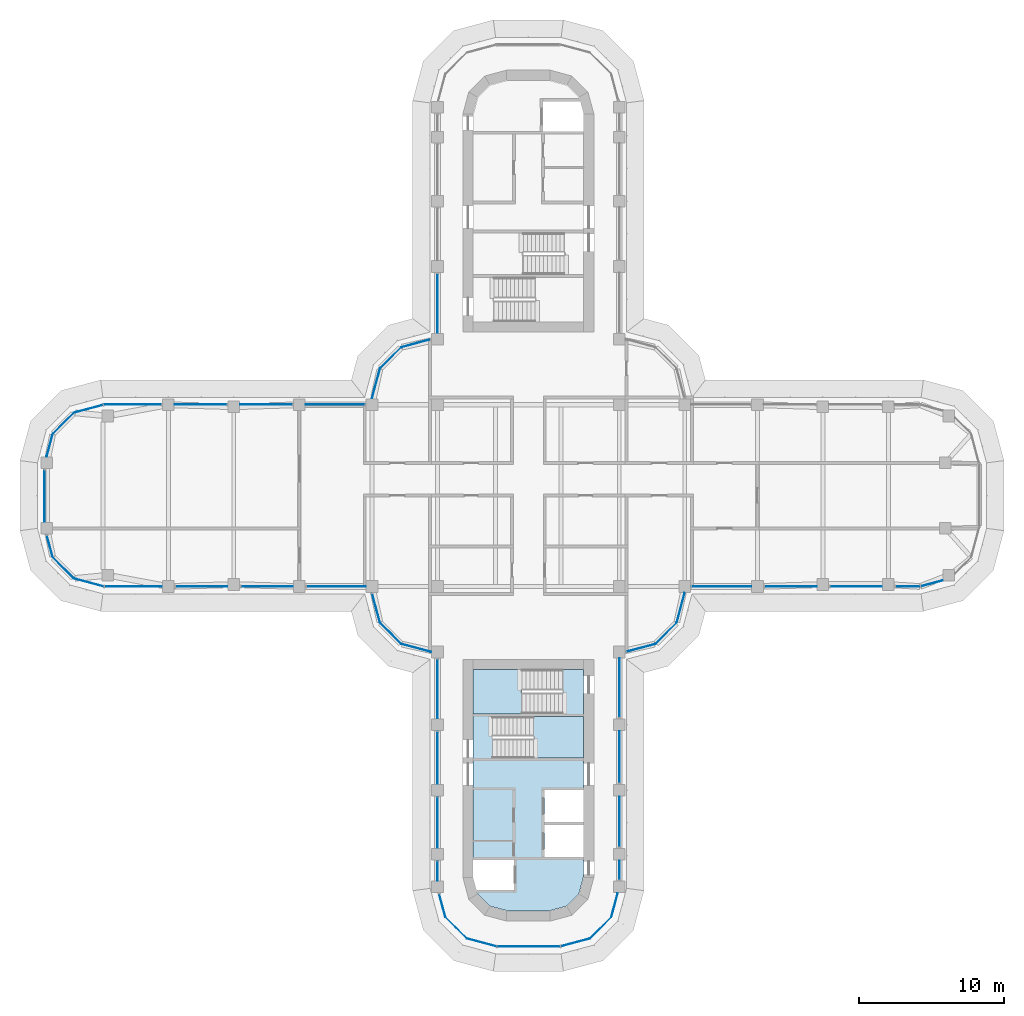
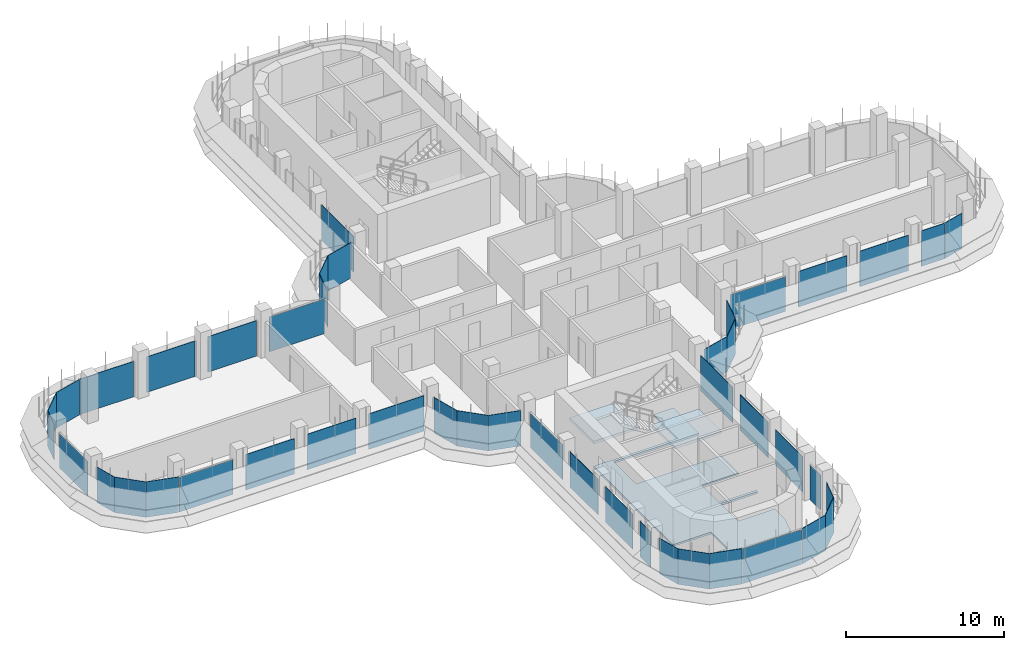
# One storey, part 11 of 19: 45 plates, 3 slabs, 32 elements without a shape of their own.
"""IFC4 building model written with IfcOpenShell, lengths in metres."""

import ifcopenshell
import ifcopenshell.guid

model = None  # the IFC model being written
_history = None  # IfcOwnerHistory: only IFC2X3 demands one
_inside = {}  # id of a spatial element -> (the spatial element, [elements in it])
_under = {}  # id of a project, library or spatial element -> (it, [spatial elements below it])
_declared = {}  # id of a project -> (the project, [libraries it declares])
_typed = {}  # id of a type object -> (the type object, [elements of that type])
_made_of = {}  # id of a material, layer set ... -> (it, [elements and type objects made of it])


def new_model(schema):
    """Start an empty IFC model of exactly this schema.

    Asked for "IFC4X3", IfcOpenShell would pick the latest addendum, in which some entities
    have other attributes; the version numbers below select the first issue.
    IFC2X3 requires an IfcOwnerHistory on every rooted entity: one is made here for all.
    """
    global model, _history
    if schema == "IFC4X3":
        model = ifcopenshell.file(schema_version=(4, 3, 0, 0))
    else:
        model = ifcopenshell.file(schema=schema)
    _inside.clear()
    _under.clear()
    _declared.clear()
    _typed.clear()
    _made_of.clear()
    _history = None
    if model.schema == "IFC2X3":
        org = make("IfcOrganization", Name="unknown")
        user = make(
            "IfcPersonAndOrganization",
            ThePerson=make("IfcPerson", FamilyName="unknown"),
            TheOrganization=org,
        )
        app = make(
            "IfcApplication",
            ApplicationDeveloper=org,
            Version="unknown",
            ApplicationFullName="unknown",
            ApplicationIdentifier="unknown",
        )
        _history = make(
            "IfcOwnerHistory",
            OwningUser=user,
            OwningApplication=app,
            ChangeAction="ADDED",
            CreationDate=0,
        )
    return model


def make(cls, **values):
    """One entity of the class cls with the attributes given. An attribute that is None is left unset."""
    return model.create_entity(
        cls, **{name: value for name, value in values.items() if value is not None}
    )


def rooted(cls, **values):
    """An entity with a GlobalId (a new one), such as an element, a storey or a relation."""
    return make(cls, GlobalId=ifcopenshell.guid.new(), OwnerHistory=_history, **values)


def si_unit(unit_type, name, prefix=None):
    """IfcSIUnit, for example si_unit("LENGTHUNIT", "METRE", prefix="MILLI")."""
    return make("IfcSIUnit", UnitType=unit_type, Prefix=prefix, Name=name)


def assignment(units):
    """IfcUnitAssignment: the units of a project."""
    return None if units is None else make("IfcUnitAssignment", Units=units)


def point(xyz):
    """IfcCartesianPoint."""
    return None if xyz is None else make("IfcCartesianPoint", Coordinates=xyz)


def direction(xyz):
    """IfcDirection."""
    return None if xyz is None else make("IfcDirection", DirectionRatios=xyz)


def frame(location, z_axis=None, x_axis=None):
    """IfcAxis2Placement3D, a coordinate frame: its origin and axes. An axis left out is left unset."""
    return make(
        "IfcAxis2Placement3D",
        Location=point(location),
        Axis=direction(z_axis),
        RefDirection=direction(x_axis),
    )


def origin():
    """The frame at (0, 0, 0) with its axes left unset."""
    return frame((0.0, 0.0, 0.0))


def place(relative_to, where):
    """IfcLocalPlacement: puts the frame where relative to a parent placement (None: the world)."""
    return make(
        "IfcLocalPlacement", PlacementRelTo=relative_to, RelativePlacement=where
    )


def context(
    kind, dimensions, precision=None, world=None, true_north=None, identifier=None
):
    """IfcGeometricRepresentationContext, for example the 3D "Model" context."""
    return make(
        "IfcGeometricRepresentationContext",
        ContextIdentifier=identifier,
        ContextType=kind,
        CoordinateSpaceDimension=dimensions,
        Precision=precision,
        WorldCoordinateSystem=world,
        TrueNorth=true_north,
    )


def subcontext(parent, identifier, kind, view, scale=None):
    """IfcGeometricRepresentationSubContext, for example "Body" below "Model"."""
    return make(
        "IfcGeometricRepresentationSubContext",
        ContextIdentifier=identifier,
        ContextType=kind,
        ParentContext=parent,
        TargetScale=scale,
        TargetView=view,
    )


def project(units=None, contexts=None):
    """IfcProject with its units and contexts."""
    return rooted(
        "IfcProject",
        Name="project",
        RepresentationContexts=contexts,
        UnitsInContext=assignment(units),
    )


def spatial(cls, under=None, at=None, **own):
    """A site, building, storey or space (cls), placed at a placement, below another one or the project."""
    s = rooted(cls, ObjectPlacement=at, **own)
    if under is not None:
        _under.setdefault(under.id(), (under, []))[1].append(s)
    return s


def polyline(points):
    """IfcPolyline through the points."""
    return make("IfcPolyline", Points=[point(p) for p in points])


def outline(outer, holes=None, kind="AREA"):
    """IfcArbitraryClosedProfileDef: a profile drawn as a closed curve; with holes, ...WithVoids."""
    if holes is None:
        return make("IfcArbitraryClosedProfileDef", ProfileType=kind, OuterCurve=outer)
    return make(
        "IfcArbitraryProfileDefWithVoids",
        ProfileType=kind,
        OuterCurve=outer,
        InnerCurves=holes,
    )


def extrude(swept, where, along, depth):
    """IfcExtrudedAreaSolid: the profile swept, set in the frame where, extruded along a direction by depth."""
    return make(
        "IfcExtrudedAreaSolid",
        SweptArea=swept,
        Position=where,
        ExtrudedDirection=direction(along),
        Depth=depth,
    )


def shape(context_of_items, identifier, shape_type, items):
    """IfcShapeRepresentation: the items that make up one representation, for example the "Body"."""
    return make(
        "IfcShapeRepresentation",
        ContextOfItems=context_of_items,
        RepresentationIdentifier=identifier,
        RepresentationType=shape_type,
        Items=items,
    )


def source(mapping_origin, context_of_items, identifier, shape_type, items):
    """IfcRepresentationMap: a shape defined once, which mapped items show again and again."""
    return make(
        "IfcRepresentationMap",
        MappingOrigin=mapping_origin,
        MappedRepresentation=shape(context_of_items, identifier, shape_type, items),
    )


def transform(
    local_origin,
    x_axis=None,
    y_axis=None,
    z_axis=None,
    scale=None,
    scale2=None,
    scale3=None,
    uniform=True,
):
    """IfcCartesianTransformationOperator3D, or its non-uniform kind. x_axis, y_axis, z_axis: its Axis1, 2, 3."""
    if uniform:
        return make(
            "IfcCartesianTransformationOperator3D",
            Axis1=direction(x_axis),
            Axis2=direction(y_axis),
            LocalOrigin=point(local_origin),
            Scale=scale,
            Axis3=direction(z_axis),
        )
    return make(
        "IfcCartesianTransformationOperator3DnonUniform",
        Axis1=direction(x_axis),
        Axis2=direction(y_axis),
        LocalOrigin=point(local_origin),
        Scale=scale,
        Axis3=direction(z_axis),
        Scale2=scale2,
        Scale3=scale3,
    )


def mapped(mapping_source, mapping_target):
    """IfcMappedItem: shows the shape of a source again, moved by a transform."""
    return make(
        "IfcMappedItem", MappingSource=mapping_source, MappingTarget=mapping_target
    )


def material(Name=None, Category=None):
    """IfcMaterial."""
    return make("IfcMaterial", Name=Name, Category=Category)


def layer(
    of_material, thickness, ventilated=None, Name=None, Category=None, Priority=None
):
    """IfcMaterialLayer: one layer of a wall or slab, of a material (None: an air gap)."""
    return make(
        "IfcMaterialLayer",
        Material=of_material,
        LayerThickness=thickness,
        IsVentilated=ventilated,
        Name=Name,
        Category=Category,
        Priority=Priority,
    )


def layer_set(layers, Name=None):
    """IfcMaterialLayerSet."""
    return make("IfcMaterialLayerSet", MaterialLayers=layers, LayerSetName=Name)


def made_of(thing, what):
    """Note that an element or type object is made of a material, layer set ...; save() writes the relation."""
    if what is not None:
        _made_of.setdefault(what.id(), (what, []))[1].append(thing)
    return thing


def type_object(cls, material=None, **own):
    """A type object (cls), such as IfcWallType, which elements share."""
    return made_of(rooted(cls, **own), material)


def element(
    cls,
    number,
    at=None,
    inside=None,
    cuts=None,
    type_object=None,
    material=None,
    context=None,
    identifier="Body",
    shape_type=None,
    held_by="IfcProductDefinitionShape",
    body=None,
    shapes=None,
    **own,
):
    """One element of the class cls, such as IfcWall. Its Tag is "e" and its number.

    at: its placement. inside: the storey or other place that contains it. cuts: it is an
    opening in that element (IfcRelVoidsElement). A single representation is given by context,
    identifier, shape_type and body (its items); several are given by shapes. held_by: the class
    of the entity that holds the representations. save() writes the other relations.
    """
    e = rooted(cls, Tag="e%d" % number, ObjectPlacement=at, **own)
    if body is not None:
        shapes = [shape(context, identifier, shape_type, body)]
    if shapes is not None:
        e.Representation = make(held_by, Representations=shapes)
    if inside is not None:
        _inside.setdefault(inside.id(), (inside, []))[1].append(e)
    if cuts is not None:
        rooted(
            "IfcRelVoidsElement", RelatingBuildingElement=cuts, RelatedOpeningElement=e
        )
    if type_object is not None:
        _typed.setdefault(type_object.id(), (type_object, []))[1].append(e)
    return made_of(e, material)


def aggregate(whole, parts):
    """IfcRelAggregates: a whole, such as a stair, and the parts it consists of."""
    return rooted("IfcRelAggregates", RelatingObject=whole, RelatedObjects=parts)


def save(model, path):
    """Write the relations noted so far, then the file.

    IfcRelAggregates (storeys below a building ...), IfcRelContainedInSpatialStructure (elements
    in a storey), IfcRelDefinesByType, IfcRelAssociatesMaterial and IfcRelDeclares: one each for
    every whole, place, type object, material and project.
    """
    for whole, parts in _under.values():
        aggregate(whole, parts)
    for where, things in _inside.values():
        rooted(
            "IfcRelContainedInSpatialStructure",
            RelatedElements=things,
            RelatingStructure=where,
        )
    for kind, things in _typed.values():
        rooted("IfcRelDefinesByType", RelatedObjects=things, RelatingType=kind)
    for what, things in _made_of.values():
        rooted("IfcRelAssociatesMaterial", RelatedObjects=things, RelatingMaterial=what)
    for by, libraries in _declared.values():
        rooted("IfcRelDeclares", RelatingContext=by, RelatedDefinitions=libraries)
    model.write(path)


model = new_model("IFC4")

# Units and contexts
model_context = context("Model", 3, precision=1e-05, world=origin(), true_north=direction((0.0, 1.0)))
body_context = subcontext(model_context, "Body", "Model", "MODEL_VIEW")
ifc_project = project(units=[si_unit("LENGTHUNIT", "METRE"), si_unit("AREAUNIT", "SQUARE_METRE"), si_unit("VOLUMEUNIT", "CUBIC_METRE"), si_unit("PLANEANGLEUNIT", "RADIAN"), si_unit("MASSUNIT", "GRAM", prefix="KILO")], contexts=[model_context])

# Site, building, storey
site_placement = place(None, origin())
site = spatial("IfcSite", under=ifc_project, at=site_placement, CompositionType="ELEMENT")
building_placement = place(site_placement, origin())
building = spatial("IfcBuilding", under=site, at=building_placement, Name="Zarbagh Exchange Tower", CompositionType="ELEMENT")
storey_placement = place(building_placement, frame((0.0, 0.0, 179.0)))
storey = spatial("IfcBuildingStorey", under=building, at=storey_placement, Name="L43", CompositionType="ELEMENT", Elevation=179.0)

# Slab
ifc_material_1 = material(Name="Concrete C40/50", Category="concrete")
ifc_layer_1 = layer(ifc_material_1, 0.14990234375)
ifc_layer_set_1 = layer_set([ifc_layer_1], Name="Core floor slab 150 C40/50")
slab_type_1 = type_object("IfcSlabType", Name="Core floor slab 150 C40/50", PredefinedType="FLOOR", material=ifc_layer_set_1)
slab_1_placement = place(storey_placement, frame((0.0, 0.0, -0.14990234375)))
element("IfcSlab", 1, at=slab_1_placement, inside=storey, type_object=slab_type_1, Name="S17 core S", PredefinedType="FLOOR", context=body_context, shape_type="SweptSolid", body=[
    extrude(outline(polyline([(-2.6376953125, -28.220458984375), (-3.470458984375, -27.3876953125), (-3.800048828125, -26.15771484375), (-3.800048828125, -26.15771484375), (-3.547607421875, -27.10009765625), (-1.0, -27.10009765625), (-1.0, -25.050048828125), (-3.800048828125, -25.050048828125), (-3.800048828125, -15.0), (2.35009765625, -15.0), (2.35009765625, -11.949951171875), (3.800048828125, -11.949951171875), (3.800048828125, -15.199951171875), (-2.449951171875, -15.199951171875), (-2.449951171875, -18.050048828125), (3.800048828125, -18.050048828125), (3.800048828125, -20.25), (1.10009765625, -20.25), (1.10009765625, -22.449951171875), (3.800048828125, -22.449951171875), (3.800048828125, -22.64990234375), (1.10009765625, -22.64990234375), (1.10009765625, -24.85009765625), (3.800048828125, -24.85009765625), (3.800048828125, -26.15771484375), (3.470458984375, -27.3876953125), (2.6376953125, -28.220458984375), (1.40771484375, -28.550048828125), (-1.40771484375, -28.550048828125), (-2.6376953125, -28.220458984375)])), origin(), (0.0, 0.0, 1.0), 0.14990234375),
])

# Stair, slab
stair_type = type_object("IfcStairType", Name="Exit stair two-flight half-turn", PredefinedType="HALF_TURN_STAIR", material=ifc_material_1)
stair_1_placement = place(storey_placement, origin())
stair_1 = element("IfcStair", 2, at=stair_1_placement, inside=storey, type_object=stair_type, Name="exit stair ST3", PredefinedType="HALF_TURN_STAIR")
ifc_layer_2 = layer(ifc_material_1, 0.199951171875)
ifc_layer_set_2 = layer_set([ifc_layer_2], Name="Stair landing 200 mm")
slab_type_2 = type_object("IfcSlabType", Name="Stair landing 200 mm", PredefinedType="LANDING", material=ifc_layer_set_2)
slab_2_placement = place(storey_placement, frame((0.0, 0.0, 1.699951171875)))
slab_2 = element("IfcSlab", 3, at=slab_2_placement, type_object=slab_type_2, Name="ST3 landing 1", PredefinedType="LANDING", context=body_context, shape_type="SweptSolid", body=[
    extrude(outline(polyline([(0.35009765625, -18.050048828125), (3.800048828125, -18.050048828125), (3.800048828125, -15.199951171875), (0.35009765625, -15.199951171875), (0.35009765625, -18.050048828125)])), origin(), (0.0, 0.0, 1.0), 0.199951171875),
])
aggregate(stair_1, [slab_2])

stair_2_placement = place(storey_placement, origin())
stair_2 = element("IfcStair", 4, at=stair_2_placement, inside=storey, type_object=stair_type, Name="exit stair ST4", PredefinedType="HALF_TURN_STAIR")
slab_3_placement = place(storey_placement, frame((0.0, 0.0, 1.699951171875)))
slab_3 = element("IfcSlab", 5, at=slab_3_placement, type_object=slab_type_2, Name="ST4 landing 1", PredefinedType="LANDING", context=body_context, shape_type="SweptSolid", body=[
    extrude(outline(polyline([(-0.449951171875, -11.949951171875), (-3.800048828125, -11.949951171875), (-3.800048828125, -15.0), (-0.449951171875, -15.0), (-0.449951171875, -11.949951171875)])), origin(), (0.0, 0.0, 1.0), 0.199951171875),
])
aggregate(stair_2, [slab_3])

# Curtain wall, plate
ifc_material_2 = material(Name="Anodised aluminium frame and glazing", Category="aluminium")
curtain_wall_type = type_object("IfcCurtainWallType", Name="CWB Ribbon glazing, upper zones", PredefinedType="NOTDEFINED", material=ifc_material_2)
curtain_wall_1_placement = place(storey_placement, origin())
curtain_wall_1 = element("IfcCurtainWall", 6, at=curtain_wall_1_placement, inside=storey, type_object=curtain_wall_type, Name="CWB37 curtain wall", PredefinedType="NOTDEFINED")
ifc_material_3 = material(Name="Low-e double glazed unit, 6+12+6 mm")
ifc_layer_3 = layer(ifc_material_3, 0.031982421875)
ifc_layer_set_3 = layer_set([ifc_layer_3], Name="PAB Glazing panel, Low-e double glazed unit, 6+12+6 mm")
plate_type = type_object("IfcPlateType", Name="PAB Glazing panel, Low-e double glazed unit, 6+12+6 mm", PredefinedType="CURTAIN_PANEL", material=ifc_layer_set_3)
shared_shape_1 = source(origin(), body_context, "Body", "SweptSolid", [
    extrude(outline(polyline([(0.0, -0.01611328125), (1.5458984375, -0.01611328125), (1.5458984375, 0.01611328125), (0.0, 0.01611328125), (0.0, -0.01611328125)])), origin(), (0.0, 0.0, 1.0), 2.75),
])
placement = place(storey_placement, origin())
plate_1 = element("IfcPlate", 7, at=placement, type_object=plate_type, Name="CWB37 glazing panel 1.1", PredefinedType="CURTAIN_PANEL", context=body_context, shape_type="MappedRepresentation", body=[
    mapped(shared_shape_1, transform((-33.098876953125, -2.748046875, 0.0), x_axis=(0.258824779902, -0.965924289636, 0.0), y_axis=(0.965924289636, 0.258824779902, 0.0), z_axis=(0.0, 0.0, 1.0))),
])
aggregate(curtain_wall_1, [plate_1])

curtain_wall_2_placement = place(storey_placement, origin())
curtain_wall_2 = element("IfcCurtainWall", 8, at=curtain_wall_2_placement, inside=storey, type_object=curtain_wall_type, Name="CWB50 curtain wall", PredefinedType="NOTDEFINED")
shared_shape_2 = source(origin(), body_context, "Body", "SweptSolid", [
    extrude(outline(polyline([(0.0, -0.01611328125), (2.061279296875, -0.01611328125), (2.061279296875, 0.01611328125), (0.0, 0.01611328125), (0.0, -0.01611328125)])), origin(), (0.0, 0.0, 1.0), 2.75),
])
plate_2 = element("IfcPlate", 9, at=placement, type_object=plate_type, Name="CWB50 glazing panel 1.1", PredefinedType="CURTAIN_PANEL", context=body_context, shape_type="MappedRepresentation", body=[
    mapped(shared_shape_2, transform((4.2412109375, -30.44873046875, 0.0), x_axis=(0.707106781187, 0.707106781187, 0.0), y_axis=(-0.707106781187, 0.707106781187, 0.0), z_axis=(0.0, 0.0, 1.0))),
])
aggregate(curtain_wall_2, [plate_2])

curtain_wall_3_placement = place(storey_placement, origin())
curtain_wall_3 = element("IfcCurtainWall", 10, at=curtain_wall_3_placement, inside=storey, type_object=curtain_wall_type, Name="CWB06 curtain wall", PredefinedType="NOTDEFINED")
plate_3 = element("IfcPlate", 11, at=placement, type_object=plate_type, Name="CWB06 glazing panel 1.1", PredefinedType="CURTAIN_PANEL", context=body_context, shape_type="MappedRepresentation", body=[
    mapped(shared_shape_2, transform((8.7412109375, -10.19873046875, 0.0), x_axis=(0.707106781187, 0.707106781187, 0.0), y_axis=(-0.707106781187, 0.707106781187, 0.0), z_axis=(0.0, 0.0, 1.0))),
])
aggregate(curtain_wall_3, [plate_3])

curtain_wall_4_placement = place(storey_placement, origin())
curtain_wall_4 = element("IfcCurtainWall", 12, at=curtain_wall_4_placement, inside=storey, type_object=curtain_wall_type, Name="CWB30 curtain wall", PredefinedType="NOTDEFINED")
plate_4 = element("IfcPlate", 13, at=placement, type_object=plate_type, Name="CWB30 glazing panel 1.1", PredefinedType="CURTAIN_PANEL", context=body_context, shape_type="MappedRepresentation", body=[
    mapped(shared_shape_2, transform((-8.7412109375, 10.19873046875, 0.0), x_axis=(-0.707106781187, -0.707106781187, 0.0), y_axis=(0.707106781187, -0.707106781187, 0.0), z_axis=(0.0, 0.0, 1.0))),
])
aggregate(curtain_wall_4, [plate_4])

curtain_wall_5_placement = place(storey_placement, origin())
curtain_wall_5 = element("IfcCurtainWall", 14, at=curtain_wall_5_placement, inside=storey, type_object=curtain_wall_type, Name="CWB34 curtain wall", PredefinedType="NOTDEFINED")
plate_5 = element("IfcPlate", 15, at=placement, type_object=plate_type, Name="CWB34 glazing panel 1.1", PredefinedType="CURTAIN_PANEL", context=body_context, shape_type="MappedRepresentation", body=[
    mapped(shared_shape_2, transform((-31.2412109375, 5.69873046875, 0.0), x_axis=(-0.707106781187, -0.707106781187, 0.0), y_axis=(0.707106781187, -0.707106781187, 0.0), z_axis=(0.0, 0.0, 1.0))),
])
aggregate(curtain_wall_5, [plate_5])

curtain_wall_6_placement = place(storey_placement, origin())
curtain_wall_6 = element("IfcCurtainWall", 16, at=curtain_wall_6_placement, inside=storey, type_object=curtain_wall_type, Name="CWB38 curtain wall", PredefinedType="NOTDEFINED")
plate_6 = element("IfcPlate", 17, at=placement, type_object=plate_type, Name="CWB38 glazing panel 1.1", PredefinedType="CURTAIN_PANEL", context=body_context, shape_type="MappedRepresentation", body=[
    mapped(shared_shape_2, transform((-32.69873046875, -4.2412109375, 0.0), x_axis=(0.707106781187, -0.707106781187, 0.0), y_axis=(0.707106781187, 0.707106781187, 0.0), z_axis=(0.0, 0.0, 1.0))),
])
aggregate(curtain_wall_6, [plate_6])

curtain_wall_7_placement = place(storey_placement, origin())
curtain_wall_7 = element("IfcCurtainWall", 18, at=curtain_wall_7_placement, inside=storey, type_object=curtain_wall_type, Name="CWB42 curtain wall", PredefinedType="NOTDEFINED")
plate_7 = element("IfcPlate", 19, at=placement, type_object=plate_type, Name="CWB42 glazing panel 1.1", PredefinedType="CURTAIN_PANEL", context=body_context, shape_type="MappedRepresentation", body=[
    mapped(shared_shape_2, transform((-10.19873046875, -8.7412109375, 0.0), x_axis=(0.707106781187, -0.707106781187, 0.0), y_axis=(0.707106781187, 0.707106781187, 0.0), z_axis=(0.0, 0.0, 1.0))),
])
aggregate(curtain_wall_7, [plate_7])

curtain_wall_8_placement = place(storey_placement, origin())
curtain_wall_8 = element("IfcCurtainWall", 20, at=curtain_wall_8_placement, inside=storey, type_object=curtain_wall_type, Name="CWB55 curtain wall", PredefinedType="NOTDEFINED")
plate_8 = element("IfcPlate", 21, at=placement, type_object=plate_type, Name="CWB55 glazing panel 1.1", PredefinedType="CURTAIN_PANEL", context=body_context, shape_type="MappedRepresentation", body=[
    mapped(shared_shape_2, transform((-5.69873046875, -28.9912109375, 0.0), x_axis=(0.707106781187, -0.707106781187, 0.0), y_axis=(0.707106781187, 0.707106781187, 0.0), z_axis=(0.0, 0.0, 1.0))),
])
aggregate(curtain_wall_8, [plate_8])

curtain_wall_9_placement = place(storey_placement, origin())
curtain_wall_9 = element("IfcCurtainWall", 22, at=curtain_wall_9_placement, inside=storey, type_object=curtain_wall_type, Name="CWB39 curtain wall", PredefinedType="NOTDEFINED")
shared_shape_3 = source(origin(), body_context, "Body", "SweptSolid", [
    extrude(outline(polyline([(0.0, -0.01611328125), (2.129638671875, -0.01611328125), (2.129638671875, 0.01611328125), (0.0, 0.01611328125), (0.0, -0.01611328125)])), origin(), (0.0, 0.0, 1.0), 2.75),
])
plate_9 = element("IfcPlate", 23, at=placement, type_object=plate_type, Name="CWB39 glazing panel 1.1", PredefinedType="CURTAIN_PANEL", context=body_context, shape_type="MappedRepresentation", body=[
    mapped(shared_shape_3, transform((-31.2412109375, -5.69873046875, 0.0), x_axis=(0.965924289636, -0.258824779902, 0.0), y_axis=(0.258824779902, 0.965924289636, 0.0), z_axis=(0.0, 0.0, 1.0))),
])
aggregate(curtain_wall_9, [plate_9])

curtain_wall_10_placement = place(storey_placement, origin())
curtain_wall_10 = element("IfcCurtainWall", 24, at=curtain_wall_10_placement, inside=storey, type_object=curtain_wall_type, Name="CWB56 curtain wall", PredefinedType="NOTDEFINED")
plate_10 = element("IfcPlate", 25, at=placement, type_object=plate_type, Name="CWB56 glazing panel 1.1", PredefinedType="CURTAIN_PANEL", context=body_context, shape_type="MappedRepresentation", body=[
    mapped(shared_shape_3, transform((-4.2412109375, -30.44873046875, 0.0), x_axis=(0.965924289636, -0.258824779902, 0.0), y_axis=(0.258824779902, 0.965924289636, 0.0), z_axis=(0.0, 0.0, 1.0))),
])
aggregate(curtain_wall_10, [plate_10])

curtain_wall_11_placement = place(storey_placement, origin())
curtain_wall_11 = element("IfcCurtainWall", 26, at=curtain_wall_11_placement, inside=storey, type_object=curtain_wall_type, Name="CWB53 curtain wall", PredefinedType="NOTDEFINED")
shared_shape_4 = source(origin(), body_context, "Body", "SweptSolid", [
    extrude(outline(polyline([(0.0, -0.01611328125), (1.31005859375, -0.01611328125), (1.31005859375, 0.01611328125), (0.0, 0.01611328125), (0.0, -0.01611328125)])), origin(), (0.0, 0.0, 1.0), 2.75),
])
plate_11 = element("IfcPlate", 27, at=placement, type_object=plate_type, Name="CWB53 glazing panel 4.1", PredefinedType="CURTAIN_PANEL", context=body_context, shape_type="MappedRepresentation", body=[
    mapped(shared_shape_4, transform((-6.25, -25.150146484375, 0.0), x_axis=(0.0, -1.0, 0.0), y_axis=(1.0, 0.0, 0.0), z_axis=(0.0, 0.0, 1.0))),
])

curtain_wall_12_placement = place(storey_placement, origin())
curtain_wall_12 = element("IfcCurtainWall", 28, at=curtain_wall_12_placement, inside=storey, type_object=curtain_wall_type, Name="CWB52 curtain wall", PredefinedType="NOTDEFINED")
shared_shape_5 = source(origin(), body_context, "Body", "SweptSolid", [
    extrude(outline(polyline([(0.0, -0.01611328125), (3.4599609375, -0.01611328125), (3.4599609375, 0.01611328125), (0.0, 0.01611328125), (0.0, -0.01611328125)])), origin(), (0.0, 0.0, 1.0), 2.75),
])
plate_12 = element("IfcPlate", 29, at=placement, type_object=plate_type, Name="CWB52 glazing panel 2.1", PredefinedType="CURTAIN_PANEL", context=body_context, shape_type="MappedRepresentation", body=[
    mapped(shared_shape_5, transform((6.25, -24.14990234375, 0.0), x_axis=(0.0, 1.0, 0.0), y_axis=(-1.0, 0.0, 0.0), z_axis=(0.0, 0.0, 1.0))),
])

# Plate
plate_13 = element("IfcPlate", 30, at=placement, type_object=plate_type, Name="CWB53 glazing panel 3.1", PredefinedType="CURTAIN_PANEL", context=body_context, shape_type="MappedRepresentation", body=[
    mapped(shared_shape_5, transform((-6.25, -20.75, 0.0), x_axis=(0.0, -1.0, 0.0), y_axis=(1.0, 0.0, 0.0), z_axis=(0.0, 0.0, 1.0))),
])

shared_shape_6 = source(origin(), body_context, "Body", "SweptSolid", [
    extrude(outline(polyline([(0.0, -0.01611328125), (3.56005859375, -0.01611328125), (3.56005859375, 0.01611328125), (0.0, 0.01611328125), (0.0, -0.01611328125)])), origin(), (0.0, 0.0, 1.0), 2.75),
])
plate_14 = element("IfcPlate", 31, at=placement, type_object=plate_type, Name="CWB52 glazing panel 3.1", PredefinedType="CURTAIN_PANEL", context=body_context, shape_type="MappedRepresentation", body=[
    mapped(shared_shape_6, transform((6.25, -19.75, 0.0), x_axis=(0.0, 1.0, 0.0), y_axis=(-1.0, 0.0, 0.0), z_axis=(0.0, 0.0, 1.0))),
])

# Curtain wall, plates
curtain_wall_13_placement = place(storey_placement, origin())
curtain_wall_13 = element("IfcCurtainWall", 32, at=curtain_wall_13_placement, inside=storey, type_object=curtain_wall_type, Name="CWB08 curtain wall", PredefinedType="NOTDEFINED")
plate_15 = element("IfcPlate", 33, at=placement, type_object=plate_type, Name="CWB08 glazing panel 2.1", PredefinedType="CURTAIN_PANEL", context=body_context, shape_type="MappedRepresentation", body=[
    mapped(shared_shape_6, transform((16.25, -6.25, 0.0), x_axis=(1.0, 0.0, 0.0), y_axis=(0.0, 1.0, 0.0), z_axis=(0.0, 0.0, 1.0))),
])
plate_16 = element("IfcPlate", 34, at=placement, type_object=plate_type, Name="CWB08 glazing panel 3.1", PredefinedType="CURTAIN_PANEL", context=body_context, shape_type="MappedRepresentation", body=[
    mapped(shared_shape_6, transform((20.75, -6.25, 0.0), x_axis=(1.0, 0.0, 0.0), y_axis=(0.0, 1.0, 0.0), z_axis=(0.0, 0.0, 1.0))),
])

curtain_wall_14_placement = place(storey_placement, origin())
curtain_wall_14 = element("IfcCurtainWall", 35, at=curtain_wall_14_placement, inside=storey, type_object=curtain_wall_type, Name="CWB32 curtain wall", PredefinedType="NOTDEFINED")
plate_17 = element("IfcPlate", 36, at=placement, type_object=plate_type, Name="CWB32 glazing panel 2.1", PredefinedType="CURTAIN_PANEL", context=body_context, shape_type="MappedRepresentation", body=[
    mapped(shared_shape_6, transform((-16.25, 6.25, 0.0), x_axis=(-1.0, 0.0, 0.0), y_axis=(0.0, -1.0, 0.0), z_axis=(0.0, 0.0, 1.0))),
])
plate_18 = element("IfcPlate", 37, at=placement, type_object=plate_type, Name="CWB32 glazing panel 3.1", PredefinedType="CURTAIN_PANEL", context=body_context, shape_type="MappedRepresentation", body=[
    mapped(shared_shape_6, transform((-20.75, 6.25, 0.0), x_axis=(-1.0, 0.0, 0.0), y_axis=(0.0, -1.0, 0.0), z_axis=(0.0, 0.0, 1.0))),
])

curtain_wall_15_placement = place(storey_placement, origin())
curtain_wall_15 = element("IfcCurtainWall", 38, at=curtain_wall_15_placement, inside=storey, type_object=curtain_wall_type, Name="CWB40 curtain wall", PredefinedType="NOTDEFINED")
plate_19 = element("IfcPlate", 39, at=placement, type_object=plate_type, Name="CWB40 glazing panel 2.1", PredefinedType="CURTAIN_PANEL", context=body_context, shape_type="MappedRepresentation", body=[
    mapped(shared_shape_6, transform((-24.25, -6.25, 0.0), x_axis=(1.0, 0.0, 0.0), y_axis=(0.0, 1.0, 0.0), z_axis=(0.0, 0.0, 1.0))),
])
plate_20 = element("IfcPlate", 40, at=placement, type_object=plate_type, Name="CWB40 glazing panel 3.1", PredefinedType="CURTAIN_PANEL", context=body_context, shape_type="MappedRepresentation", body=[
    mapped(shared_shape_6, transform((-19.75, -6.25, 0.0), x_axis=(1.0, 0.0, 0.0), y_axis=(0.0, 1.0, 0.0), z_axis=(0.0, 0.0, 1.0))),
])

# Plate
plate_21 = element("IfcPlate", 41, at=placement, type_object=plate_type, Name="CWB53 glazing panel 2.1", PredefinedType="CURTAIN_PANEL", context=body_context, shape_type="MappedRepresentation", body=[
    mapped(shared_shape_6, transform((-6.25, -16.25, 0.0), x_axis=(0.0, -1.0, 0.0), y_axis=(1.0, 0.0, 0.0), z_axis=(0.0, 0.0, 1.0))),
])

shared_shape_7 = source(origin(), body_context, "Body", "SweptSolid", [
    extrude(outline(polyline([(0.0, -0.01611328125), (4.06005859375, -0.01611328125), (4.06005859375, 0.01611328125), (0.0, 0.01611328125), (0.0, -0.01611328125)])), origin(), (0.0, 0.0, 1.0), 2.75),
])
plate_22 = element("IfcPlate", 42, at=placement, type_object=plate_type, Name="CWB52 glazing panel 4.1", PredefinedType="CURTAIN_PANEL", context=body_context, shape_type="MappedRepresentation", body=[
    mapped(shared_shape_7, transform((6.25, -15.25, 0.0), x_axis=(0.0, 1.0, 0.0), y_axis=(-1.0, 0.0, 0.0), z_axis=(0.0, 0.0, 1.0))),
])

# Curtain wall, plate
curtain_wall_16_placement = place(storey_placement, origin())
curtain_wall_16 = element("IfcCurtainWall", 43, at=curtain_wall_16_placement, inside=storey, type_object=curtain_wall_type, Name="CWB28 curtain wall", PredefinedType="NOTDEFINED")
plate_23 = element("IfcPlate", 44, at=placement, type_object=plate_type, Name="CWB28 glazing panel 4.1", PredefinedType="CURTAIN_PANEL", context=body_context, shape_type="MappedRepresentation", body=[
    mapped(shared_shape_7, transform((-6.25, 15.25, 0.0), x_axis=(0.0, -1.0, 0.0), y_axis=(1.0, 0.0, 0.0), z_axis=(0.0, 0.0, 1.0))),
])
aggregate(curtain_wall_16, [plate_23])

# Plate
plate_24 = element("IfcPlate", 45, at=placement, type_object=plate_type, Name="CWB40 glazing panel 4.1", PredefinedType="CURTAIN_PANEL", context=body_context, shape_type="MappedRepresentation", body=[
    mapped(shared_shape_7, transform((-15.25, -6.25, 0.0), x_axis=(1.0, 0.0, 0.0), y_axis=(0.0, 1.0, 0.0), z_axis=(0.0, 0.0, 1.0))),
])

# Curtain wall, plate
curtain_wall_17_placement = place(storey_placement, origin())
curtain_wall_17 = element("IfcCurtainWall", 46, at=curtain_wall_17_placement, inside=storey, type_object=curtain_wall_type, Name="CWB05 curtain wall", PredefinedType="NOTDEFINED")
shared_shape_8 = source(origin(), body_context, "Body", "SweptSolid", [
    extrude(outline(polyline([(0.0, -0.01611328125), (2.063720703125, -0.01611328125), (2.063720703125, 0.01611328125), (0.0, 0.01611328125), (0.0, -0.01611328125)])), origin(), (0.0, 0.0, 1.0), 2.75),
])
plate_25 = element("IfcPlate", 47, at=placement, type_object=plate_type, Name="CWB05 glazing panel 1.1", PredefinedType="CURTAIN_PANEL", context=body_context, shape_type="MappedRepresentation", body=[
    mapped(shared_shape_8, transform((6.748046875, -10.73291015625, 0.0), x_axis=(0.965924289636, 0.258824779902, 0.0), y_axis=(-0.258824779902, 0.965924289636, 0.0), z_axis=(0.0, 0.0, 1.0))),
])
aggregate(curtain_wall_17, [plate_25])

curtain_wall_18_placement = place(storey_placement, origin())
curtain_wall_18 = element("IfcCurtainWall", 48, at=curtain_wall_18_placement, inside=storey, type_object=curtain_wall_type, Name="CWB29 curtain wall", PredefinedType="NOTDEFINED")
plate_26 = element("IfcPlate", 49, at=placement, type_object=plate_type, Name="CWB29 glazing panel 1.1", PredefinedType="CURTAIN_PANEL", context=body_context, shape_type="MappedRepresentation", body=[
    mapped(shared_shape_8, transform((-6.748046875, 10.73291015625, 0.0), x_axis=(-0.965924289636, -0.258824779902, 0.0), y_axis=(0.258824779902, -0.965924289636, 0.0), z_axis=(0.0, 0.0, 1.0))),
])
aggregate(curtain_wall_18, [plate_26])

curtain_wall_19_placement = place(storey_placement, origin())
curtain_wall_19 = element("IfcCurtainWall", 50, at=curtain_wall_19_placement, inside=storey, type_object=curtain_wall_type, Name="CWB41 curtain wall", PredefinedType="NOTDEFINED")
plate_27 = element("IfcPlate", 51, at=placement, type_object=plate_type, Name="CWB41 glazing panel 1.1", PredefinedType="CURTAIN_PANEL", context=body_context, shape_type="MappedRepresentation", body=[
    mapped(shared_shape_8, transform((-10.73291015625, -6.748046875, 0.0), x_axis=(0.258824779902, -0.965924289636, 0.0), y_axis=(0.965924289636, 0.258824779902, 0.0), z_axis=(0.0, 0.0, 1.0))),
])
aggregate(curtain_wall_19, [plate_27])

curtain_wall_20_placement = place(storey_placement, origin())
curtain_wall_20 = element("IfcCurtainWall", 52, at=curtain_wall_20_placement, inside=storey, type_object=curtain_wall_type, Name="CWB07 curtain wall", PredefinedType="NOTDEFINED")
shared_shape_9 = source(origin(), body_context, "Body", "SweptSolid", [
    extrude(outline(polyline([(0.0, -0.01611328125), (2.12353515625, -0.01611328125), (2.12353515625, 0.01611328125), (0.0, 0.01611328125), (0.0, -0.01611328125)])), origin(), (0.0, 0.0, 1.0), 2.75),
])
plate_28 = element("IfcPlate", 53, at=placement, type_object=plate_type, Name="CWB07 glazing panel 1.1", PredefinedType="CURTAIN_PANEL", context=body_context, shape_type="MappedRepresentation", body=[
    mapped(shared_shape_9, transform((10.19873046875, -8.7412109375, 0.0), x_axis=(0.258824779902, 0.965924289636, 0.0), y_axis=(-0.965924289636, 0.258824779902, 0.0), z_axis=(0.0, 0.0, 1.0))),
])
aggregate(curtain_wall_20, [plate_28])

curtain_wall_21_placement = place(storey_placement, origin())
curtain_wall_21 = element("IfcCurtainWall", 54, at=curtain_wall_21_placement, inside=storey, type_object=curtain_wall_type, Name="CWB31 curtain wall", PredefinedType="NOTDEFINED")
plate_29 = element("IfcPlate", 55, at=placement, type_object=plate_type, Name="CWB31 glazing panel 1.1", PredefinedType="CURTAIN_PANEL", context=body_context, shape_type="MappedRepresentation", body=[
    mapped(shared_shape_9, transform((-10.19873046875, 8.7412109375, 0.0), x_axis=(-0.258824779902, -0.965924289636, 0.0), y_axis=(0.965924289636, -0.258824779902, 0.0), z_axis=(0.0, 0.0, 1.0))),
])
aggregate(curtain_wall_21, [plate_29])

curtain_wall_22_placement = place(storey_placement, origin())
curtain_wall_22 = element("IfcCurtainWall", 56, at=curtain_wall_22_placement, inside=storey, type_object=curtain_wall_type, Name="CWB43 curtain wall", PredefinedType="NOTDEFINED")
plate_30 = element("IfcPlate", 57, at=placement, type_object=plate_type, Name="CWB43 glazing panel 1.1", PredefinedType="CURTAIN_PANEL", context=body_context, shape_type="MappedRepresentation", body=[
    mapped(shared_shape_9, transform((-8.7412109375, -10.19873046875, 0.0), x_axis=(0.965924289636, -0.258824779902, 0.0), y_axis=(0.258824779902, 0.965924289636, 0.0), z_axis=(0.0, 0.0, 1.0))),
])
aggregate(curtain_wall_22, [plate_30])

# Plate
shared_shape_10 = source(origin(), body_context, "Body", "SweptSolid", [
    extrude(outline(polyline([(0.0, -0.01611328125), (4.06005859375, -0.01611328125), (4.06005859375, 0.01611328125), (0.0, 0.01611328125), (0.0, -0.01611328125)])), origin(), (0.0, 0.0, 1.0), 2.68994140625),
])
plate_31 = element("IfcPlate", 58, at=placement, type_object=plate_type, Name="CWB08 glazing panel 1.1", PredefinedType="CURTAIN_PANEL", context=body_context, shape_type="MappedRepresentation", body=[
    mapped(shared_shape_10, transform((11.25, -6.25, 0.0), x_axis=(1.0, 0.0, 0.0), y_axis=(0.0, 1.0, 0.0), z_axis=(0.0, 0.0, 1.0))),
])

plate_32 = element("IfcPlate", 59, at=placement, type_object=plate_type, Name="CWB32 glazing panel 1.1", PredefinedType="CURTAIN_PANEL", context=body_context, shape_type="MappedRepresentation", body=[
    mapped(shared_shape_10, transform((-11.25, 6.25, 0.0), x_axis=(-1.0, 0.0, 0.0), y_axis=(0.0, -1.0, 0.0), z_axis=(0.0, 0.0, 1.0))),
])

plate_33 = element("IfcPlate", 60, at=placement, type_object=plate_type, Name="CWB53 glazing panel 1.1", PredefinedType="CURTAIN_PANEL", context=body_context, shape_type="MappedRepresentation", body=[
    mapped(shared_shape_10, transform((-6.25, -11.25, 0.0), x_axis=(0.0, -1.0, 0.0), y_axis=(1.0, 0.0, 0.0), z_axis=(0.0, 0.0, 1.0))),
])

aggregate(curtain_wall_11, [plate_33, plate_21, plate_13, plate_11])

shared_shape_11 = source(origin(), body_context, "Body", "SweptSolid", [
    extrude(outline(polyline([(0.0, -0.01611328125), (1.68408203125, -0.01611328125), (1.68408203125, 0.01611328125), (0.0, 0.01611328125), (0.0, -0.01611328125)])), origin(), (0.0, 0.0, 1.0), 2.75),
])
plate_34 = element("IfcPlate", 61, at=placement, type_object=plate_type, Name="CWB08 glazing panel 4.1", PredefinedType="CURTAIN_PANEL", context=body_context, shape_type="MappedRepresentation", body=[
    mapped(shared_shape_11, transform((25.25, -6.25, 0.0), x_axis=(1.0, 0.0, 0.0), y_axis=(0.0, 1.0, 0.0), z_axis=(0.0, 0.0, 1.0))),
])

aggregate(curtain_wall_13, [plate_31, plate_15, plate_16, plate_34])

# Curtain wall, plate
curtain_wall_23_placement = place(storey_placement, origin())
curtain_wall_23 = element("IfcCurtainWall", 62, at=curtain_wall_23_placement, inside=storey, type_object=curtain_wall_type, Name="CWB09 curtain wall", PredefinedType="NOTDEFINED")
shared_shape_12 = source(origin(), body_context, "Body", "SweptSolid", [
    extrude(outline(polyline([(0.0, -0.01611328125), (1.52783203125, -0.01611328125), (1.52783203125, 0.01611328125), (0.0, 0.01611328125), (0.0, -0.01611328125)])), origin(), (0.0, 0.0, 1.0), 2.75),
])
plate_35 = element("IfcPlate", 63, at=placement, type_object=plate_type, Name="CWB09 glazing panel 1.1", PredefinedType="CURTAIN_PANEL", context=body_context, shape_type="MappedRepresentation", body=[
    mapped(shared_shape_12, transform((26.9921875, -6.234375, 0.0), x_axis=(0.965924289636, 0.258824779902, 0.0), y_axis=(-0.258824779902, 0.965924289636, 0.0), z_axis=(0.0, 0.0, 1.0))),
])
aggregate(curtain_wall_23, [plate_35])

curtain_wall_24_placement = place(storey_placement, origin())
curtain_wall_24 = element("IfcCurtainWall", 64, at=curtain_wall_24_placement, inside=storey, type_object=curtain_wall_type, Name="CWB57 curtain wall", PredefinedType="NOTDEFINED")
shared_shape_13 = source(origin(), body_context, "Body", "SweptSolid", [
    extrude(outline(polyline([(0.0, -0.01611328125), (4.308349609375, -0.01611328125), (4.308349609375, 0.01611328125), (0.0, 0.01611328125), (0.0, -0.01611328125)])), origin(), (0.0, 0.0, 1.0), 2.68994140625),
])
plate_36 = element("IfcPlate", 65, at=placement, type_object=plate_type, Name="CWB57 glazing panel 1.1", PredefinedType="CURTAIN_PANEL", context=body_context, shape_type="MappedRepresentation", body=[
    mapped(shared_shape_13, transform((-2.124267578125, -31.0, 0.0), x_axis=(1.0, 0.0, 0.0), y_axis=(0.0, 1.0, 0.0), z_axis=(0.0, 0.0, 1.0))),
])
aggregate(curtain_wall_24, [plate_36])

curtain_wall_25_placement = place(storey_placement, origin())
curtain_wall_25 = element("IfcCurtainWall", 66, at=curtain_wall_25_placement, inside=storey, type_object=curtain_wall_type, Name="CWB49 curtain wall", PredefinedType="NOTDEFINED")
shared_shape_14 = source(origin(), body_context, "Body", "SweptSolid", [
    extrude(outline(polyline([(0.0, -0.01611328125), (2.069580078125, -0.01611328125), (2.069580078125, 0.01611328125), (0.0, 0.01611328125), (0.0, -0.01611328125)])), origin(), (0.0, 0.0, 1.0), 2.75),
])
plate_37 = element("IfcPlate", 67, at=placement, type_object=plate_type, Name="CWB49 glazing panel 1.1", PredefinedType="CURTAIN_PANEL", context=body_context, shape_type="MappedRepresentation", body=[
    mapped(shared_shape_14, transform((2.2421875, -30.984375, 0.0), x_axis=(0.965924289636, 0.258824779902, 0.0), y_axis=(-0.258824779902, 0.965924289636, 0.0), z_axis=(0.0, 0.0, 1.0))),
])
aggregate(curtain_wall_25, [plate_37])

curtain_wall_26_placement = place(storey_placement, origin())
curtain_wall_26 = element("IfcCurtainWall", 68, at=curtain_wall_26_placement, inside=storey, type_object=curtain_wall_type, Name="CWB33 curtain wall", PredefinedType="NOTDEFINED")
plate_38 = element("IfcPlate", 69, at=placement, type_object=plate_type, Name="CWB33 glazing panel 1.1", PredefinedType="CURTAIN_PANEL", context=body_context, shape_type="MappedRepresentation", body=[
    mapped(shared_shape_14, transform((-29.2421875, 6.234375, 0.0), x_axis=(-0.965924289636, -0.258824779902, 0.0), y_axis=(0.258824779902, -0.965924289636, 0.0), z_axis=(0.0, 0.0, 1.0))),
])
aggregate(curtain_wall_26, [plate_38])

# Plate
shared_shape_15 = source(origin(), body_context, "Body", "SweptSolid", [
    extrude(outline(polyline([(0.0, -0.01611328125), (3.93408203125, -0.01611328125), (3.93408203125, 0.01611328125), (0.0, 0.01611328125), (0.0, -0.01611328125)])), origin(), (0.0, 0.0, 1.0), 2.75),
])
plate_39 = element("IfcPlate", 70, at=placement, type_object=plate_type, Name="CWB32 glazing panel 4.1", PredefinedType="CURTAIN_PANEL", context=body_context, shape_type="MappedRepresentation", body=[
    mapped(shared_shape_15, transform((-25.25, 6.25, 0.0), x_axis=(-1.0, 0.0, 0.0), y_axis=(0.0, -1.0, 0.0), z_axis=(0.0, 0.0, 1.0))),
])

aggregate(curtain_wall_14, [plate_32, plate_17, plate_18, plate_39])

# Curtain wall, plate
curtain_wall_27_placement = place(storey_placement, origin())
curtain_wall_27 = element("IfcCurtainWall", 71, at=curtain_wall_27_placement, inside=storey, type_object=curtain_wall_type, Name="CWB35 curtain wall", PredefinedType="NOTDEFINED")
shared_shape_16 = source(origin(), body_context, "Body", "SweptSolid", [
    extrude(outline(polyline([(0.0, -0.01611328125), (1.60595703125, -0.01611328125), (1.60595703125, 0.01611328125), (0.0, 0.01611328125), (0.0, -0.01611328125)])), origin(), (0.0, 0.0, 1.0), 2.75),
])
plate_40 = element("IfcPlate", 72, at=placement, type_object=plate_type, Name="CWB35 glazing panel 1.1", PredefinedType="CURTAIN_PANEL", context=body_context, shape_type="MappedRepresentation", body=[
    mapped(shared_shape_16, transform((-32.69873046875, 4.2412109375, 0.0), x_axis=(-0.258824779902, -0.965924289636, 0.0), y_axis=(0.965924289636, -0.258824779902, 0.0), z_axis=(0.0, 0.0, 1.0))),
])
aggregate(curtain_wall_27, [plate_40])

curtain_wall_28_placement = place(storey_placement, origin())
curtain_wall_28 = element("IfcCurtainWall", 73, at=curtain_wall_28_placement, inside=storey, type_object=curtain_wall_type, Name="CWB36 curtain wall", PredefinedType="NOTDEFINED")
shared_shape_17 = source(origin(), body_context, "Body", "SweptSolid", [
    extrude(outline(polyline([(0.0, -0.01611328125), (3.56005859375, -0.01611328125), (3.56005859375, 0.01611328125), (0.0, 0.01611328125), (0.0, -0.01611328125)])), origin(), (0.0, 0.0, 1.0), 2.68994140625),
])
plate_41 = element("IfcPlate", 74, at=placement, type_object=plate_type, Name="CWB36 glazing panel 1.1", PredefinedType="CURTAIN_PANEL", context=body_context, shape_type="MappedRepresentation", body=[
    mapped(shared_shape_17, transform((-33.25, 1.75, 0.0), x_axis=(0.0, -1.0, 0.0), y_axis=(1.0, 0.0, 0.0), z_axis=(0.0, 0.0, 1.0))),
])
aggregate(curtain_wall_28, [plate_41])

# Plate
shared_shape_18 = source(origin(), body_context, "Body", "SweptSolid", [
    extrude(outline(polyline([(0.0, -0.01611328125), (3.93408203125, -0.01611328125), (3.93408203125, 0.01611328125), (0.0, 0.01611328125), (0.0, -0.01611328125)])), origin(), (0.0, 0.0, 1.0), 2.68994140625),
])
plate_42 = element("IfcPlate", 75, at=placement, type_object=plate_type, Name="CWB40 glazing panel 1.1", PredefinedType="CURTAIN_PANEL", context=body_context, shape_type="MappedRepresentation", body=[
    mapped(shared_shape_18, transform((-29.124267578125, -6.25, 0.0), x_axis=(1.0, 0.0, 0.0), y_axis=(0.0, 1.0, 0.0), z_axis=(0.0, 0.0, 1.0))),
])

aggregate(curtain_wall_15, [plate_42, plate_19, plate_20, plate_24])

# Curtain wall, plate
curtain_wall_29_placement = place(storey_placement, origin())
curtain_wall_29 = element("IfcCurtainWall", 76, at=curtain_wall_29_placement, inside=storey, type_object=curtain_wall_type, Name="CWB51 curtain wall", PredefinedType="NOTDEFINED")
shared_shape_19 = source(origin(), body_context, "Body", "SweptSolid", [
    extrude(outline(polyline([(0.0, -0.01611328125), (1.70947265625, -0.01611328125), (1.70947265625, 0.01611328125), (0.0, 0.01611328125), (0.0, -0.01611328125)])), origin(), (0.0, 0.0, 1.0), 2.75),
])
plate_43 = element("IfcPlate", 77, at=placement, type_object=plate_type, Name="CWB51 glazing panel 1.1", PredefinedType="CURTAIN_PANEL", context=body_context, shape_type="MappedRepresentation", body=[
    mapped(shared_shape_19, transform((5.69873046875, -28.9912109375, 0.0), x_axis=(0.258824779902, 0.965924289636, 0.0), y_axis=(-0.965924289636, 0.258824779902, 0.0), z_axis=(0.0, 0.0, 1.0))),
])
aggregate(curtain_wall_29, [plate_43])

# Plate
shared_shape_20 = source(origin(), body_context, "Body", "SweptSolid", [
    extrude(outline(polyline([(0.0, -0.01611328125), (1.31005859375, -0.01611328125), (1.31005859375, 0.01611328125), (0.0, 0.01611328125), (0.0, -0.01611328125)])), origin(), (0.0, 0.0, 1.0), 2.68994140625),
])
plate_44 = element("IfcPlate", 78, at=placement, type_object=plate_type, Name="CWB52 glazing panel 1.1", PredefinedType="CURTAIN_PANEL", context=body_context, shape_type="MappedRepresentation", body=[
    mapped(shared_shape_20, transform((6.25, -26.39990234375, 0.0), x_axis=(0.0, 1.0, 0.0), y_axis=(-1.0, 0.0, 0.0), z_axis=(0.0, 0.0, 1.0))),
])

aggregate(curtain_wall_12, [plate_44, plate_12, plate_14, plate_22])

# Curtain wall, plate
curtain_wall_30_placement = place(storey_placement, origin())
curtain_wall_30 = element("IfcCurtainWall", 79, at=curtain_wall_30_placement, inside=storey, type_object=curtain_wall_type, Name="CWB54 curtain wall", PredefinedType="NOTDEFINED")
shared_shape_21 = source(origin(), body_context, "Body", "SweptSolid", [
    extrude(outline(polyline([(0.0, -0.01611328125), (1.6494140625, -0.01611328125), (1.6494140625, 0.01611328125), (0.0, 0.01611328125), (0.0, -0.01611328125)])), origin(), (0.0, 0.0, 1.0), 2.75),
])
plate_45 = element("IfcPlate", 80, at=placement, type_object=plate_type, Name="CWB54 glazing panel 1.1", PredefinedType="CURTAIN_PANEL", context=body_context, shape_type="MappedRepresentation", body=[
    mapped(shared_shape_21, transform((-6.125732421875, -27.39794921875, 0.0), x_axis=(0.258824779902, -0.965924289636, 0.0), y_axis=(0.965924289636, 0.258824779902, 0.0), z_axis=(0.0, 0.0, 1.0))),
])
aggregate(curtain_wall_30, [plate_45])

save(model, "model.ifc")
